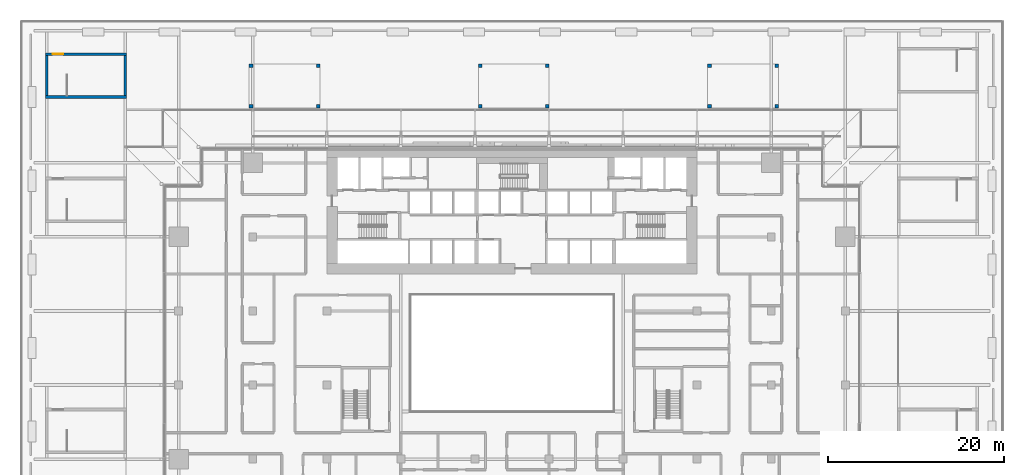
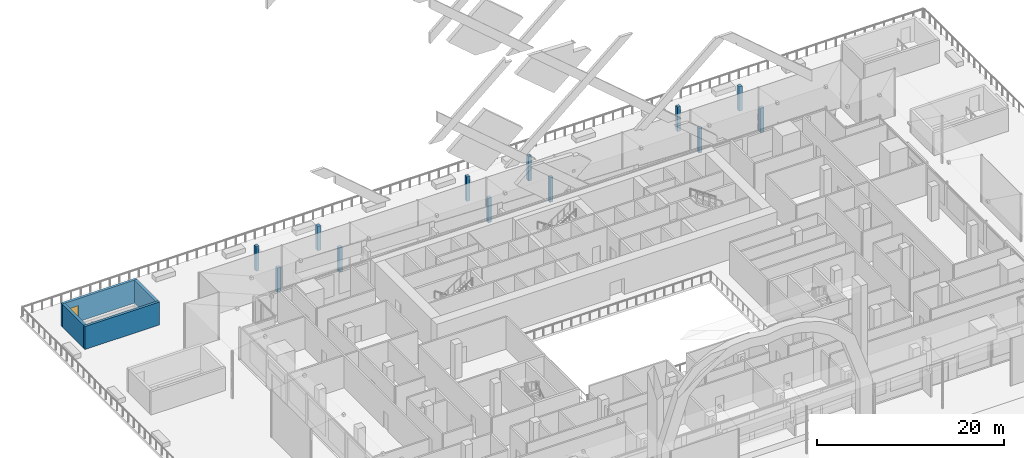
# One storey, part 30 of 60: 16 walls, 1 door, 1 opening.
"""IFC4 building model written with IfcOpenShell, lengths in metres."""

from ifc_helpers import new_model, si_unit, direction, frame, frame_2d, origin, place, context, subcontext, project, spatial, rectangle, extrude, material, layer, layer_set, type_object, element, fill, save


model = new_model("IFC4")

# Units and contexts
model_context = context("Model", 3, precision=1e-05, world=origin(), true_north=direction((0.0, 1.0)))
body_context = subcontext(model_context, "Body", "Model", "MODEL_VIEW")
ifc_project = project(units=[si_unit("LENGTHUNIT", "METRE"), si_unit("AREAUNIT", "SQUARE_METRE"), si_unit("VOLUMEUNIT", "CUBIC_METRE"), si_unit("PLANEANGLEUNIT", "RADIAN"), si_unit("MASSUNIT", "GRAM", prefix="KILO")], contexts=[model_context])

# Site, building, storey
site_placement = place(None, origin())
site = spatial("IfcSite", under=ifc_project, at=site_placement, CompositionType="ELEMENT")
building_placement = place(site_placement, origin())
building = spatial("IfcBuilding", under=site, at=building_placement, Name="Saffron Gate Tower", CompositionType="ELEMENT")
storey_placement = place(building_placement, frame((0.0, 0.0, 19.199951171875)))
storey = spatial("IfcBuildingStorey", under=building, at=storey_placement, Name="L03", CompositionType="ELEMENT", Elevation=19.199951171875)

# Walls
ifc_material_1 = material(Name="Concrete C70", Category="concrete")
ifc_layer_1 = layer(ifc_material_1, 0.300048828125)
ifc_layer_set_1 = layer_set([ifc_layer_1], Name="CW5 RC core wall 300 C70")
wall_type_1 = type_object("IfcWallType", Name="CW5 RC core wall 300 C70", PredefinedType="SOLIDWALL", material=ifc_layer_set_1)
wall_1_placement = place(storey_placement, frame((34.699951171875, 81.27490234375, 0.0), z_axis=(0.0, 0.0, 1.0), x_axis=(1.0, 0.0, 0.0)))
element("IfcWall", 1, at=wall_1_placement, inside=storey, type_object=wall_type_1, Name="Wall CW5-L03-F-1", PredefinedType="SOLIDWALL", context=body_context, shape_type="SweptSolid", body=[
    extrude(rectangle(XDim=9.199951171875, YDim=0.300048828125, at=frame_2d((4.60009765625, 0.0))), origin(), (0.0, 0.0, 1.0), 3.0),
])
for number, where, z_axis, x_axis, name in (
    (2, (34.85009765625, 81.425048828125, 0.0), (0.0, 0.0, 1.0), (0.0, 1.0, 0.0), "Wall CW5-L03-F-2"),
    (3, (43.75, 81.425048828125, 0.0), (0.0, 0.0, 1.0), (0.0, 1.0, 0.0), "Wall CW5-L03-F-3"),
):
    element("IfcWall", number, at=place(storey_placement, frame(where, z_axis=z_axis, x_axis=x_axis)), inside=storey, type_object=wall_type_1, Name=name, PredefinedType="SOLIDWALL", context=body_context, shape_type="SweptSolid", body=[
        extrude(rectangle(XDim=4.550048828125, YDim=0.300048828125, at=frame_2d((2.27490234375, 0.0))), origin(), (0.0, 0.0, 1.0), 3.0),
    ])

# Wall, opening, door
wall_2_placement = place(storey_placement, frame((34.699951171875, 86.125, 0.0), z_axis=(0.0, 0.0, 1.0), x_axis=(1.0, 0.0, 0.0)))
wall_2 = element("IfcWall", 4, at=wall_2_placement, inside=storey, type_object=wall_type_1, Name="Wall CW5-L03-F-4", PredefinedType="SOLIDWALL", context=body_context, shape_type="SweptSolid", body=[
    extrude(rectangle(XDim=9.199951171875, YDim=0.300048828125, at=frame_2d((4.60009765625, 0.0))), origin(), (0.0, 0.0, 1.0), 3.0),
])
opening_placement = place(wall_2_placement, frame((0.800048828125, 0.0, 0.0)))
opening = element("IfcOpeningElement", 5, at=opening_placement, cuts=wall_2, Name="Opening CR-25", PredefinedType="OPENING", context=body_context, shape_type="SweptSolid", body=[
    extrude(rectangle(XDim=1.199951171875, YDim=2.10009765625, at=frame_2d((0.60009765625, 1.050048828125))), frame((0.0, 0.16015625, 0.0), z_axis=(0.0, -1.0, 0.0), x_axis=(1.0, 0.0, 0.0)), (0.0, 0.0, 1.0), 0.320068359375),
])
ifc_material_2 = material(Name="Steel fire door set", Category="steel")
door_type = type_object("IfcDoorType", Name="CD12 Stair door 1200x2100 EI 120", OperationType="NOTDEFINED", PredefinedType="DOOR", material=ifc_material_2)
door_placement = place(opening_placement, origin())
door = element("IfcDoor", 6, at=door_placement, inside=storey, type_object=door_type, Name="DOOR CR-25", OperationType="SINGLE_SWING_LEFT", OverallHeight=2.10009765625, OverallWidth=1.199951171875, PredefinedType="DOOR", context=body_context, shape_type="SweptSolid", body=[
    extrude(rectangle(XDim=1.199951171875, YDim=2.10009765625, at=frame_2d((0.60009765625, 1.050048828125))), frame((0.0, 0.02490234375, 0.0), z_axis=(0.0, -1.0, 0.0), x_axis=(1.0, 0.0, 0.0)), (0.0, 0.0, 1.0), 0.050048828125),
])
fill(opening, door)

# Walls
ifc_material_3 = material(Name="Powder-coated steel", Category="steel")
ifc_layer_2 = layer(ifc_material_3, 0.39990234375)
ifc_layer_set_2 = layer_set([ifc_layer_2], Name="PG1 pergola post")
wall_type_2 = type_object("IfcWallType", Name="PG1 pergola post", PredefinedType="SOLIDWALL", material=ifc_layer_set_2)
for number, where, z_axis, x_axis, name in (
    (7, (58.0, 80.0, 0.0), (0.0, 0.0, 1.0), (0.0, 1.0, 0.0), "PERGOLA post"),
    (8, (65.60009765625, 80.0, 0.0), (0.0, 0.0, 1.0), (0.0, 1.0, 0.0), "PERGOLA post"),
    (9, (58.0, 84.60009765625, 0.0), (0.0, 0.0, 1.0), (0.0, 1.0, 0.0), "PERGOLA post"),
    (10, (65.60009765625, 84.60009765625, 0.0), (0.0, 0.0, 1.0), (0.0, 1.0, 0.0), "PERGOLA post"),
    (11, (84.0, 80.0, 0.0), (0.0, 0.0, 1.0), (0.0, 1.0, 0.0), "PERGOLA post"),
    (12, (91.60009765625, 80.0, 0.0), (0.0, 0.0, 1.0), (0.0, 1.0, 0.0), "PERGOLA post"),
    (13, (84.0, 84.60009765625, 0.0), (0.0, 0.0, 1.0), (0.0, 1.0, 0.0), "PERGOLA post"),
    (14, (91.60009765625, 84.60009765625, 0.0), (0.0, 0.0, 1.0), (0.0, 1.0, 0.0), "PERGOLA post"),
    (15, (110.0, 80.0, 0.0), (0.0, 0.0, 1.0), (0.0, 1.0, 0.0), "PERGOLA post"),
    (16, (117.60009765625, 80.0, 0.0), (0.0, 0.0, 1.0), (0.0, 1.0, 0.0), "PERGOLA post"),
    (17, (110.0, 84.60009765625, 0.0), (0.0, 0.0, 1.0), (0.0, 1.0, 0.0), "PERGOLA post"),
    (18, (117.60009765625, 84.60009765625, 0.0), (0.0, 0.0, 1.0), (0.0, 1.0, 0.0), "PERGOLA post"),
):
    element("IfcWall", number, at=place(storey_placement, frame(where, z_axis=z_axis, x_axis=x_axis)), inside=storey, type_object=wall_type_2, Name=name, PredefinedType="SOLIDWALL", context=body_context, shape_type="SweptSolid", body=[
        extrude(rectangle(XDim=0.39990234375, YDim=0.39990234375, at=frame_2d((0.199951171875, 0.0))), origin(), (0.0, 0.0, 1.0), 3.199951171875),
    ])

save(model, "model.ifc")
